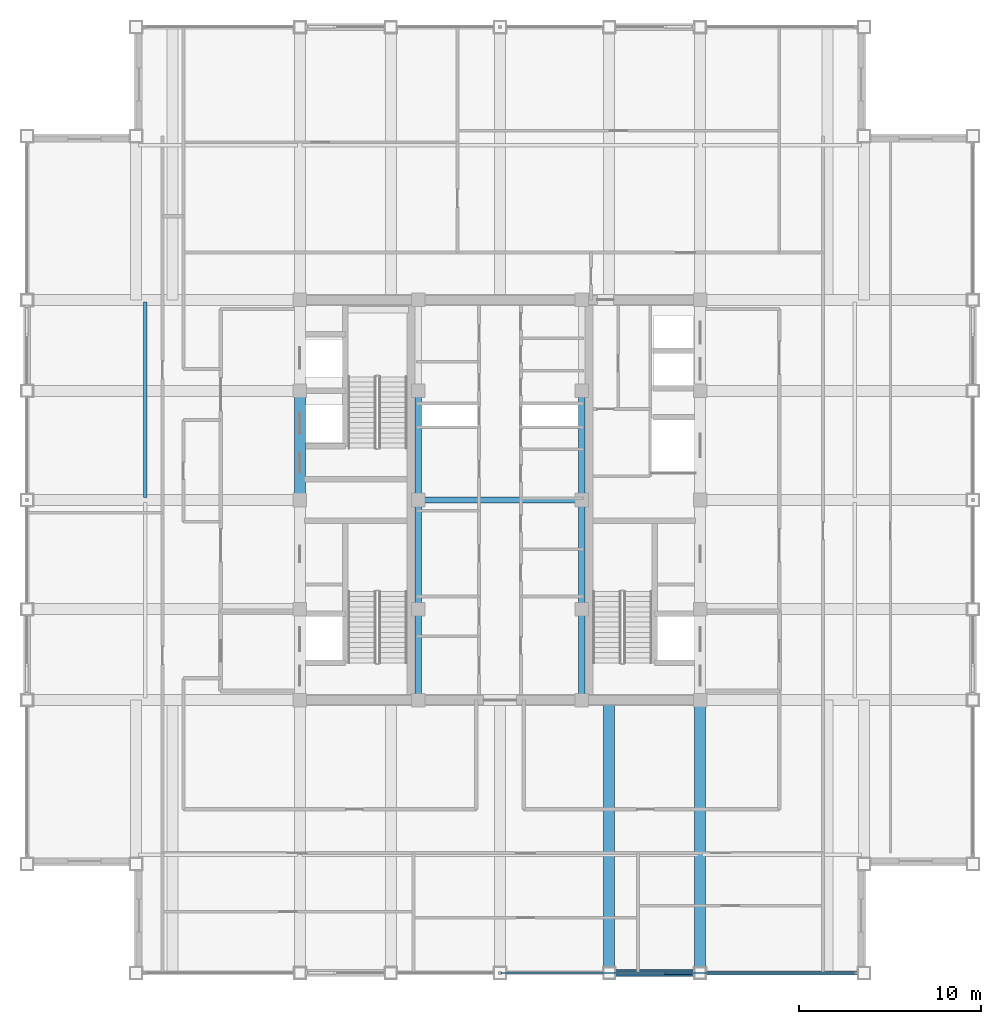
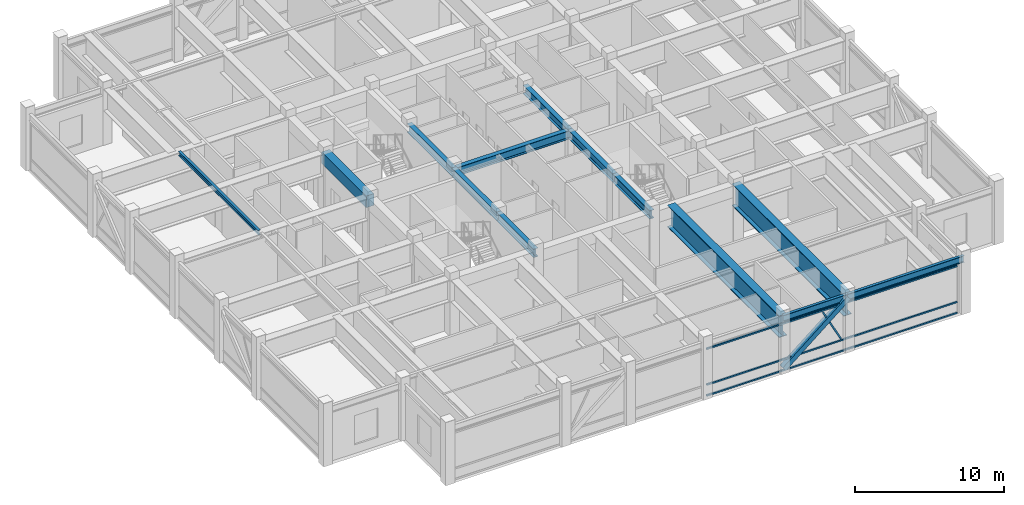
# One storey, part 7 of 29: 13 beams, 5 members, 1 element without a shape of its own.
"""IFC4 building model written with IfcOpenShell, lengths in metres."""

from ifc_helpers import new_model, si_unit, direction, frame, origin, origin_2d, place, context, subcontext, project, spatial, rectangle, hollow_rectangle, i_section, extrude, source, transform, mapped, material, material_profile, profile_set, type_object, element, aggregate, save


model = new_model("IFC4")

# Units and contexts
model_context = context("Model", 3, precision=1e-05, world=origin(), true_north=direction((0.0, 1.0)))
body_context = subcontext(model_context, "Body", "Model", "MODEL_VIEW")
ifc_project = project(units=[si_unit("LENGTHUNIT", "METRE"), si_unit("AREAUNIT", "SQUARE_METRE"), si_unit("VOLUMEUNIT", "CUBIC_METRE"), si_unit("PLANEANGLEUNIT", "RADIAN"), si_unit("MASSUNIT", "GRAM", prefix="KILO")], contexts=[model_context])

# Site, building, storey
site_placement = place(None, origin())
site = spatial("IfcSite", under=ifc_project, at=site_placement, CompositionType="ELEMENT")
building_placement = place(site_placement, origin())
building = spatial("IfcBuilding", under=site, at=building_placement, Name="Khorayat Bourse Tower", CompositionType="ELEMENT")
storey_placement = place(building_placement, frame((0.0, 0.0, 370.300048828125)))
storey = spatial("IfcBuildingStorey", under=building, at=storey_placement, Name="L88", CompositionType="ELEMENT", Elevation=370.300048828125)

# Beams
ifc_material_1 = material(Name="Steel ASTM A992 Grade 50", Category="steel")
ifc_material_profile_1 = material_profile(ifc_material_1, i_section(OverallWidth=0.35498046875, OverallDepth=0.695068359375, WebThickness=0.015380859375, FlangeThickness=0.02490234375, FilletRadius=0.01806640625, at=origin_2d()), Name="W690X217")
ifc_profile_set_1 = profile_set([ifc_material_profile_1], Name="Steel ASTM A992 Grade 50")
beam_type_1 = type_object("IfcBeamType", Name="BM-GIRD-690", PredefinedType="BEAM", material=ifc_profile_set_1)
shared_shape_1 = source(origin(), body_context, "Body", "SweptSolid", [
    extrude(i_section(OverallWidth=0.35498046875, OverallDepth=0.695068359375, WebThickness=0.015380859375, FlangeThickness=0.02490234375, FilletRadius=0.01806640625, at=origin_2d()), origin(), (0.0, 0.0, 1.0), 5.0),
])
for number, where, z_axis, x_axis, name in (
    (1, (-4.5, -11.0, 4.25244140625), (0.0, 1.0, 0.0), (-1.0, 0.0, 0.0), "L88 BM-GIRD-690 BM-L88-CRX-05"),
    (2, (4.5, -11.0, 4.25244140625), (0.0, 1.0, 0.0), (-1.0, 0.0, 0.0), "L88 BM-GIRD-690 BM-L88-CRX-09"),
):
    element("IfcBeam", number, at=place(storey_placement, frame(where, z_axis=z_axis, x_axis=x_axis)), inside=storey, type_object=beam_type_1, Name=name, PredefinedType="BEAM", context=body_context, shape_type="MappedRepresentation", body=[
        mapped(shared_shape_1, transform((0.0, 0.0, 0.0), scale=1.0)),
    ])
shared_shape_2 = source(origin(), body_context, "Body", "SweptSolid", [
    extrude(i_section(OverallWidth=0.35498046875, OverallDepth=0.695068359375, WebThickness=0.015380859375, FlangeThickness=0.02490234375, FilletRadius=0.01806640625, at=origin_2d()), origin(), (0.0, 0.0, 1.0), 6.0),
])
for number, where, z_axis, x_axis, name in (
    (3, (-4.5, -6.0, 4.25244140625), (0.0, 1.0, 0.0), (-1.0, 0.0, 0.0), "L88 BM-GIRD-690 BM-L88-CRX-06"),
    (4, (-4.5, 0.0, 4.25244140625), (0.0, 1.0, 0.0), (-1.0, 0.0, 0.0), "L88 BM-GIRD-690 BM-L88-CRX-07"),
    (5, (4.5, -6.0, 4.25244140625), (0.0, 1.0, 0.0), (-1.0, 0.0, 0.0), "L88 BM-GIRD-690 BM-L88-CRX-10"),
    (6, (4.5, 0.0, 4.25244140625), (0.0, 1.0, 0.0), (-1.0, 0.0, 0.0), "L88 BM-GIRD-690 BM-L88-CRX-11"),
):
    element("IfcBeam", number, at=place(storey_placement, frame(where, z_axis=z_axis, x_axis=x_axis)), inside=storey, type_object=beam_type_1, Name=name, PredefinedType="BEAM", context=body_context, shape_type="MappedRepresentation", body=[
        mapped(shared_shape_2, transform((0.0, 0.0, 0.0), scale=1.0)),
    ])
shared_shape_3 = source(origin(), body_context, "Body", "SweptSolid", [
    extrude(i_section(OverallWidth=0.35498046875, OverallDepth=0.695068359375, WebThickness=0.015380859375, FlangeThickness=0.02490234375, FilletRadius=0.01806640625, at=origin_2d()), origin(), (0.0, 0.0, 1.0), 9.0),
])
beam_1_placement = place(storey_placement, frame((-4.5, 0.0, 4.25244140625), z_axis=(1.0, 0.0, 0.0), x_axis=(0.0, 1.0, 0.0)))
element("IfcBeam", 7, at=beam_1_placement, inside=storey, type_object=beam_type_1, Name="L88 BM-GIRD-690 BM-L88-CRY-23", PredefinedType="BEAM", context=body_context, shape_type="MappedRepresentation", body=[
    mapped(shared_shape_3, transform((0.0, 0.0, 0.0), scale=1.0)),
])
ifc_material_2 = material(Name="Concrete C60/75", Category="concrete")
ifc_material_profile_2 = material_profile(ifc_material_2, rectangle(XDim=0.60009765625, YDim=0.949951171875, at=origin_2d()), Name="RC 600x950")
ifc_profile_set_2 = profile_set([ifc_material_profile_2], Name="Concrete C60/75")
beam_type_2 = type_object("IfcBeamType", Name="BM-COUP-950", PredefinedType="BEAM", material=ifc_profile_set_2)
shared_shape_4 = source(origin(), body_context, "Body", "SweptSolid", [
    extrude(rectangle(XDim=0.60009765625, YDim=0.949951171875, at=origin_2d()), origin(), (0.0, 0.0, 1.0), 6.0),
])
beam_2_placement = place(storey_placement, frame((-11.0, 0.0, 4.125), z_axis=(0.0, 1.0, 0.0), x_axis=(-1.0, 0.0, 0.0)))
element("IfcBeam", 8, at=beam_2_placement, inside=storey, type_object=beam_type_2, Name="L88 BM-COUP-950 BM-L88-CRX-03", PredefinedType="BEAM", context=body_context, shape_type="MappedRepresentation", body=[
    mapped(shared_shape_4, transform((0.0, 0.0, 0.0), scale=1.0)),
])
ifc_material_profile_3 = material_profile(ifc_material_1, i_section(OverallWidth=0.202880859375, OverallDepth=0.346923828125, WebThickness=0.0078125, FlangeThickness=0.013427734375, FilletRadius=0.010009765625, at=origin_2d()), Name="W360X64")
ifc_profile_set_3 = profile_set([ifc_material_profile_3], Name="Steel ASTM A992 Grade 50")
beam_type_3 = type_object("IfcBeamType", Name="BM-JOIST-360", PredefinedType="JOIST", material=ifc_profile_set_3)
shared_shape_5 = source(origin(), body_context, "Body", "SweptSolid", [
    extrude(i_section(OverallWidth=0.202880859375, OverallDepth=0.346923828125, WebThickness=0.0078125, FlangeThickness=0.013427734375, FilletRadius=0.010009765625, at=origin_2d()), origin(), (0.0, 0.0, 1.0), 10.740234375),
])
beam_3_placement = place(storey_placement, frame((-19.5, 0.1298828125, 4.426513671875), z_axis=(0.0, 1.0, 0.0), x_axis=(-1.0, 0.0, 0.0)))
element("IfcBeam", 9, at=beam_3_placement, inside=storey, type_object=beam_type_3, Name="L88 BM-JOIST-360 BM-L88-JSTY-095", PredefinedType="JOIST", context=body_context, shape_type="MappedRepresentation", body=[
    mapped(shared_shape_5, transform((0.0, 0.0, 0.0), scale=1.0)),
])
ifc_material_profile_4 = material_profile(ifc_material_1, i_section(OverallWidth=0.214111328125, OverallDepth=0.549072265625, WebThickness=0.0146484375, FlangeThickness=0.023681640625, FilletRadius=0.013916015625, at=origin_2d()), Name="W530X138")
ifc_profile_set_4 = profile_set([ifc_material_profile_4], Name="Steel ASTM A992 Grade 50")
beam_type_4 = type_object("IfcBeamType", Name="BM-SPAN-530", PredefinedType="SPANDREL", material=ifc_profile_set_4)
shared_shape_6 = source(origin(), body_context, "Body", "SweptSolid", [
    extrude(i_section(OverallWidth=0.214111328125, OverallDepth=0.549072265625, WebThickness=0.0146484375, FlangeThickness=0.023681640625, FilletRadius=0.013916015625, at=origin_2d()), origin(), (0.0, 0.0, 1.0), 9.0),
])
beam_4_placement = place(storey_placement, frame((11.0, -26.0, 4.325439453125), z_axis=(1.0, 0.0, 0.0), x_axis=(0.0, 1.0, 0.0)))
element("IfcBeam", 10, at=beam_4_placement, inside=storey, type_object=beam_type_4, Name="L88 BM-SPAN-530 BM-L88-SPN-029", PredefinedType="SPANDREL", context=body_context, shape_type="MappedRepresentation", body=[
    mapped(shared_shape_6, transform((0.0, 0.0, 0.0), scale=1.0)),
])
shared_shape_7 = source(origin(), body_context, "Body", "SweptSolid", [
    extrude(i_section(OverallWidth=0.214111328125, OverallDepth=0.549072265625, WebThickness=0.0146484375, FlangeThickness=0.023681640625, FilletRadius=0.013916015625, at=origin_2d()), origin(), (0.0, 0.0, 1.0), 5.0),
])
beam_5_placement = place(storey_placement, frame((6.0, -26.0, 4.325439453125), z_axis=(1.0, 0.0, 0.0), x_axis=(0.0, 1.0, 0.0)))
element("IfcBeam", 11, at=beam_5_placement, inside=storey, type_object=beam_type_4, Name="L88 BM-SPAN-530 BM-L88-SPN-028", PredefinedType="SPANDREL", context=body_context, shape_type="MappedRepresentation", body=[
    mapped(shared_shape_7, transform((0.0, 0.0, 0.0), scale=1.0)),
])
ifc_material_3 = material(Name="Steel EN 10025-4 S460M", Category="steel")
ifc_material_profile_5 = material_profile(ifc_material_3, i_section(OverallWidth=0.60009765625, OverallDepth=1.800048828125, WebThickness=0.031982421875, FlangeThickness=0.06005859375, at=origin_2d()), Name="PG 1800x600x32x60")
ifc_profile_set_5 = profile_set([ifc_material_profile_5], Name="Steel EN 10025-4 S460M")
beam_type_5 = type_object("IfcBeamType", Name="BM-TR-1800", PredefinedType="BEAM", material=ifc_profile_set_5)
shared_shape_8 = source(origin(), body_context, "Body", "SweptSolid", [
    extrude(i_section(OverallWidth=0.60009765625, OverallDepth=1.800048828125, WebThickness=0.031982421875, FlangeThickness=0.06005859375, at=origin_2d()), origin(), (0.0, 0.0, 1.0), 15.0),
])
for number, where, z_axis, x_axis, name in (
    (12, (6.0, -26.0, 3.699951171875), (0.0, 1.0, 0.0), (-1.0, 0.0, 0.0), "L88 BM-TR-1800 BM-L88-RADY-063"),
    (13, (11.0, -26.0, 3.699951171875), (0.0, 1.0, 0.0), (-1.0, 0.0, 0.0), "L88 BM-TR-1800 BM-L88-RADY-065"),
):
    element("IfcBeam", number, at=place(storey_placement, frame(where, z_axis=z_axis, x_axis=x_axis)), inside=storey, type_object=beam_type_5, Name=name, PredefinedType="BEAM", context=body_context, shape_type="MappedRepresentation", body=[
        mapped(shared_shape_8, transform((0.0, 0.0, 0.0), scale=1.0)),
    ])

# Member
ifc_material_profile_6 = material_profile(ifc_material_3, hollow_rectangle(XDim=0.39990234375, YDim=0.39990234375, WallThickness=0.02197265625, at=origin_2d()), Name="HSS 400x400x22")
ifc_profile_set_6 = profile_set([ifc_material_profile_6], Name="Steel EN 10025-4 S460M")
member_type_1 = type_object("IfcMemberType", Name="MBR-TUBE-400", PredefinedType="BRACE", material=ifc_profile_set_6)
shared_shape_9 = source(origin(), body_context, "Body", "SweptSolid", [
    extrude(hollow_rectangle(XDim=0.39990234375, YDim=0.39990234375, WallThickness=0.02197265625, at=origin_2d()), origin(), (0.0, 0.0, 1.0), 6.466064453125),
])
member_1_placement = place(storey_placement, frame((6.0, -26.0, 0.25), z_axis=(0.773278898257, 0.0, 0.634066041916), x_axis=(0.0, 1.0, 0.0)))
element("IfcMember", 14, at=member_1_placement, inside=storey, type_object=member_type_1, Name="L88 Perimeter Tube Brace 02", PredefinedType="BRACE", context=body_context, shape_type="MappedRepresentation", body=[
    mapped(shared_shape_9, transform((0.0, 0.0, 0.0), scale=1.0)),
])

# Curtain wall, members
ifc_material_4 = material(Name="Aluminium EN AW-6063 T6", Category="aluminium")
curtain_wall_type = type_object("IfcCurtainWallType", Name="CW-SYS-04", PredefinedType="NOTDEFINED", material=ifc_material_4)
curtain_wall_placement = place(storey_placement, origin())
curtain_wall = element("IfcCurtainWall", 15, at=curtain_wall_placement, inside=storey, type_object=curtain_wall_type, Name="L88 Curtain Wall CW-L88-S1", PredefinedType="NOTDEFINED")
ifc_material_profile_7 = material_profile(ifc_material_4, hollow_rectangle(XDim=0.1201171875, YDim=0.1201171875, WallThickness=0.0048828125, at=origin_2d()), Name="ALU 120x120x5")
ifc_profile_set_7 = profile_set([ifc_material_profile_7], Name="Aluminium EN AW-6063 T6")
member_type_2 = type_object("IfcMemberType", Name="CWM-DIAG-120", PredefinedType="MULLION", material=ifc_profile_set_7)
shared_shape_10 = source(origin(), body_context, "Body", "SweptSolid", [
    extrude(hollow_rectangle(XDim=0.1201171875, YDim=0.1201171875, WallThickness=0.0048828125, at=origin_2d()), origin(), (0.0, 0.0, 1.0), 3.006103515625),
])
member_2_placement = place(storey_placement, frame((10.469970703125, -26.0, 1.08984375), z_axis=(-0.465699569312, 0.0, 0.884942885808), x_axis=(0.0, -1.0, 0.0)))
member_2 = element("IfcMember", 16, at=member_2_placement, type_object=member_type_2, Name="CW-L88-S1 Faceted Diagonal Mullion 2", PredefinedType="MULLION", context=body_context, shape_type="MappedRepresentation", body=[
    mapped(shared_shape_10, transform((0.0, 0.0, 0.0), scale=1.0)),
])
ifc_material_profile_8 = material_profile(ifc_material_4, hollow_rectangle(XDim=0.1201171875, YDim=0.1201171875, WallThickness=0.0048828125, at=origin_2d()), Name="ALU 120x120x5")
ifc_profile_set_8 = profile_set([ifc_material_profile_8], Name="Aluminium EN AW-6063 T6")
member_type_3 = type_object("IfcMemberType", Name="CWT-HORZ-120", PredefinedType="USERDEFINED", material=ifc_profile_set_8)
shared_shape_11 = source(origin(), body_context, "Body", "SweptSolid", [
    extrude(hollow_rectangle(XDim=0.1201171875, YDim=0.1201171875, WallThickness=0.0048828125, at=origin_2d()), origin(), (0.0, 0.0, 1.0), 19.419921875),
])
member_3_placement = place(storey_placement, frame((0.06005859375, -26.0, 0.06005859375), z_axis=(1.0, 0.0, 0.0), x_axis=(0.0, 1.0, 0.0)))
member_3 = element("IfcMember", 17, at=member_3_placement, type_object=member_type_3, Name="CW-L88-S1 Horizontal Transom 2-1", ObjectType="TRANSOM", PredefinedType="USERDEFINED", context=body_context, shape_type="MappedRepresentation", body=[
    mapped(shared_shape_11, transform((0.0, 0.0, 0.0), scale=1.0)),
])
member_4_placement = place(storey_placement, frame((0.06005859375, -26.0, 0.949951171875), z_axis=(1.0, 0.0, 0.0), x_axis=(0.0, 1.0, 0.0)))
member_4 = element("IfcMember", 18, at=member_4_placement, type_object=member_type_3, Name="CW-L88-S1 Horizontal Transom 2-2", ObjectType="TRANSOM", PredefinedType="USERDEFINED", context=body_context, shape_type="MappedRepresentation", body=[
    mapped(shared_shape_11, transform((0.0, 0.0, 0.0), scale=1.0)),
])
member_5_placement = place(storey_placement, frame((0.06005859375, -26.0, 3.889892578125), z_axis=(1.0, 0.0, 0.0), x_axis=(0.0, 1.0, 0.0)))
member_5 = element("IfcMember", 19, at=member_5_placement, type_object=member_type_3, Name="CW-L88-S1 Horizontal Transom 2-3", ObjectType="TRANSOM", PredefinedType="USERDEFINED", context=body_context, shape_type="MappedRepresentation", body=[
    mapped(shared_shape_11, transform((0.0, 0.0, 0.0), scale=1.0)),
])
aggregate(curtain_wall, [member_3, member_4, member_5, member_2])

save(model, "model.ifc")
